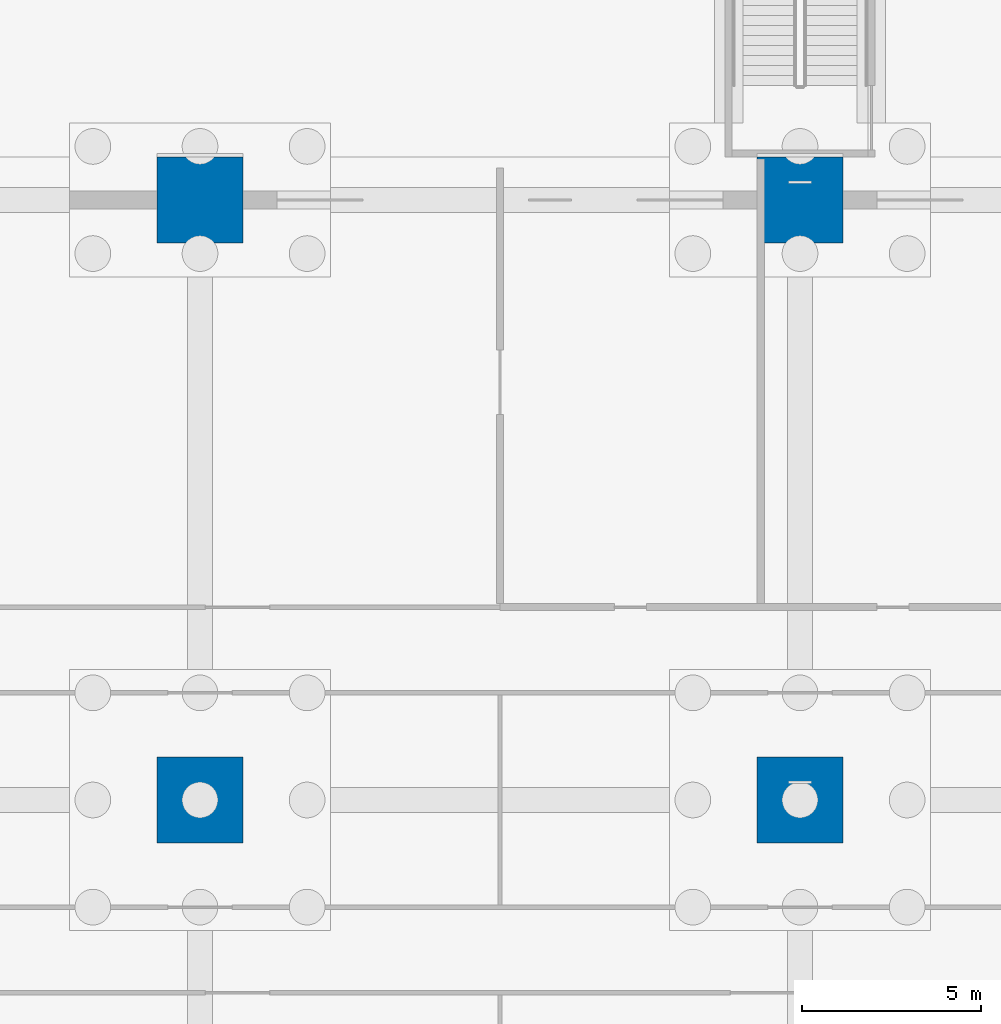
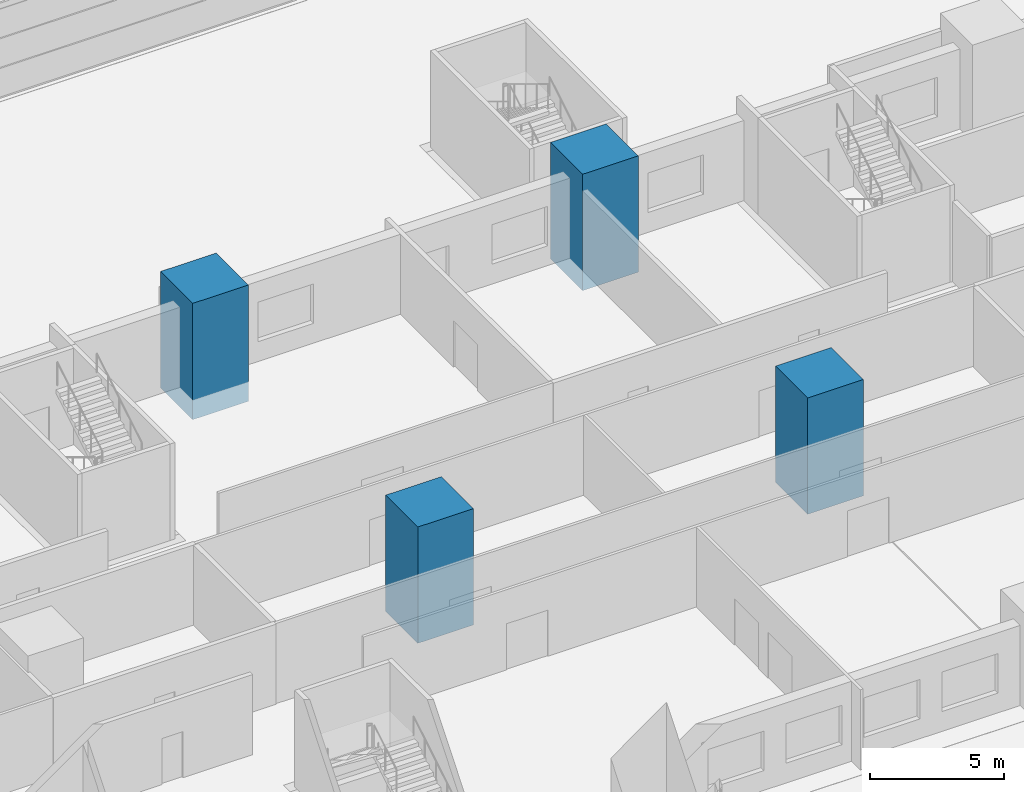
# One storey, part 11 of 139: 4 columns.
"""IFC4 building model written with IfcOpenShell, lengths in metres."""

from ifc_helpers import new_model, si_unit, direction, frame, origin, origin_2d, place, context, subcontext, project, spatial, rectangle, extrude, material, material_profile, profile_set, type_object, element, save


model = new_model("IFC4")

# Units and contexts
model_context = context("Model", 3, precision=1e-05, world=origin(), true_north=direction((0.0, 1.0)))
body_context = subcontext(model_context, "Body", "Model", "MODEL_VIEW")
ifc_project = project(units=[si_unit("LENGTHUNIT", "METRE"), si_unit("AREAUNIT", "SQUARE_METRE"), si_unit("VOLUMEUNIT", "CUBIC_METRE"), si_unit("PLANEANGLEUNIT", "RADIAN"), si_unit("MASSUNIT", "GRAM", prefix="KILO")], contexts=[model_context])

# Site, building, storey
site_placement = place(None, origin())
site = spatial("IfcSite", under=ifc_project, at=site_placement, CompositionType="ELEMENT")
building_placement = place(site_placement, origin())
building = spatial("IfcBuilding", under=site, at=building_placement, Name="Verrick Yard Athletic Hall", CompositionType="ELEMENT")
storey_placement = place(building_placement, origin())
storey = spatial("IfcBuildingStorey", under=building, at=storey_placement, Name="L00", CompositionType="ELEMENT", Elevation=0.0)

# Columns
ifc_material = material(Name="Concrete 35 MPa", Category="concrete")
ifc_material_profile = material_profile(ifc_material, rectangle(XDim=2.39990234375, YDim=2.39990234375, at=origin_2d()), Name="STR Buttress pier PR1")
ifc_profile_set = profile_set([ifc_material_profile], Name="Concrete 35 MPa")
column_type = type_object("IfcColumnType", Name="STR Buttress pier PR1", PredefinedType="COLUMN", material=ifc_profile_set)
for number, where, z_axis, x_axis, name in (
    (1, (56.800048828125, 36.0, -0.89990234375), (0.0, 0.0, 1.0), (1.0, 0.0, 0.0), "Buttress pier P2B"),
    (2, (73.60009765625, 36.0, -0.89990234375), (0.0, 0.0, 1.0), (1.0, 0.0, 0.0), "Buttress pier P3B"),
    (3, (56.800048828125, 52.800048828125, -0.89990234375), (0.0, 0.0, 1.0), (1.0, 0.0, 0.0), "Buttress pier P2C"),
    (4, (73.60009765625, 52.800048828125, -0.89990234375), (0.0, 0.0, 1.0), (1.0, 0.0, 0.0), "Buttress pier P3C"),
):
    element("IfcColumn", number, at=place(storey_placement, frame(where, z_axis=z_axis, x_axis=x_axis)), inside=storey, type_object=column_type, Name=name, PredefinedType="COLUMN", context=body_context, shape_type="SweptSolid", body=[
        extrude(rectangle(XDim=2.39990234375, YDim=2.39990234375, at=origin_2d()), origin(), (0.0, 0.0, 1.0), 5.2998046875),
    ])

save(model, "model.ifc")
